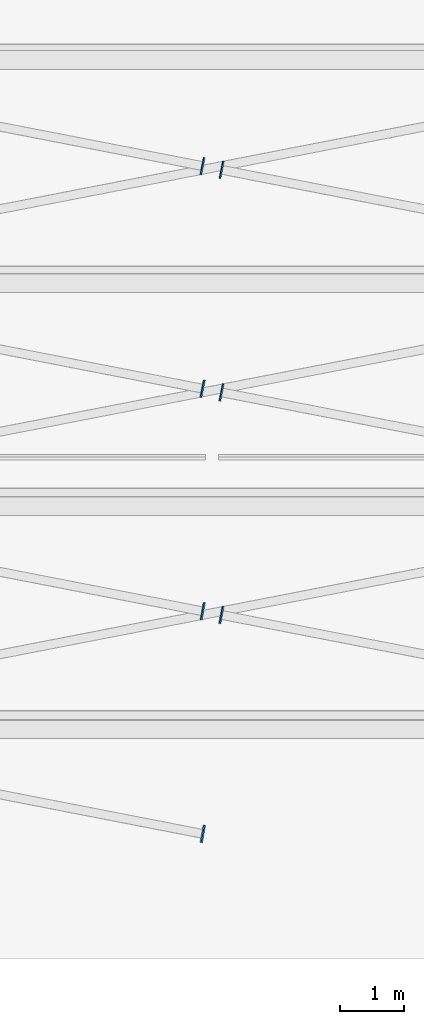
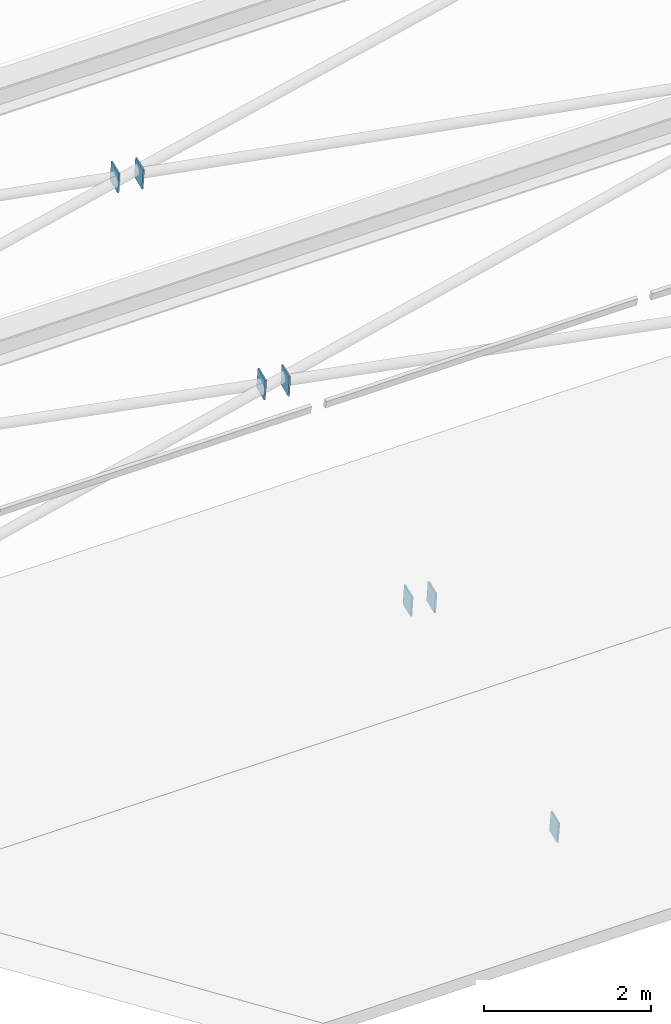
# One storey, part 56 of 69: 7 discrete accessories.
"""IFC4 building model written with IfcOpenShell, lengths in metres."""

import ifcopenshell
import ifcopenshell.guid

model = None  # the IFC model being written
_history = None  # IfcOwnerHistory: only IFC2X3 demands one
_inside = {}  # id of a spatial element -> (the spatial element, [elements in it])
_under = {}  # id of a project, library or spatial element -> (it, [spatial elements below it])
_declared = {}  # id of a project -> (the project, [libraries it declares])
_typed = {}  # id of a type object -> (the type object, [elements of that type])
_made_of = {}  # id of a material, layer set ... -> (it, [elements and type objects made of it])


def new_model(schema):
    """Start an empty IFC model of exactly this schema.

    Asked for "IFC4X3", IfcOpenShell would pick the latest addendum, in which some entities
    have other attributes; the version numbers below select the first issue.
    IFC2X3 requires an IfcOwnerHistory on every rooted entity: one is made here for all.
    """
    global model, _history
    if schema == "IFC4X3":
        model = ifcopenshell.file(schema_version=(4, 3, 0, 0))
    else:
        model = ifcopenshell.file(schema=schema)
    _inside.clear()
    _under.clear()
    _declared.clear()
    _typed.clear()
    _made_of.clear()
    _history = None
    if model.schema == "IFC2X3":
        org = make("IfcOrganization", Name="unknown")
        user = make(
            "IfcPersonAndOrganization",
            ThePerson=make("IfcPerson", FamilyName="unknown"),
            TheOrganization=org,
        )
        app = make(
            "IfcApplication",
            ApplicationDeveloper=org,
            Version="unknown",
            ApplicationFullName="unknown",
            ApplicationIdentifier="unknown",
        )
        _history = make(
            "IfcOwnerHistory",
            OwningUser=user,
            OwningApplication=app,
            ChangeAction="ADDED",
            CreationDate=0,
        )
    return model


def make(cls, **values):
    """One entity of the class cls with the attributes given. An attribute that is None is left unset."""
    return model.create_entity(
        cls, **{name: value for name, value in values.items() if value is not None}
    )


def rooted(cls, **values):
    """An entity with a GlobalId (a new one), such as an element, a storey or a relation."""
    return make(cls, GlobalId=ifcopenshell.guid.new(), OwnerHistory=_history, **values)


def si_unit(unit_type, name, prefix=None):
    """IfcSIUnit, for example si_unit("LENGTHUNIT", "METRE", prefix="MILLI")."""
    return make("IfcSIUnit", UnitType=unit_type, Prefix=prefix, Name=name)


def assignment(units):
    """IfcUnitAssignment: the units of a project."""
    return None if units is None else make("IfcUnitAssignment", Units=units)


def point(xyz):
    """IfcCartesianPoint."""
    return None if xyz is None else make("IfcCartesianPoint", Coordinates=xyz)


def direction(xyz):
    """IfcDirection."""
    return None if xyz is None else make("IfcDirection", DirectionRatios=xyz)


def frame(location, z_axis=None, x_axis=None):
    """IfcAxis2Placement3D, a coordinate frame: its origin and axes. An axis left out is left unset."""
    return make(
        "IfcAxis2Placement3D",
        Location=point(location),
        Axis=direction(z_axis),
        RefDirection=direction(x_axis),
    )


def frame_2d(location, x_axis=None):
    """IfcAxis2Placement2D, a coordinate frame in the plane: its origin and x axis."""
    return make(
        "IfcAxis2Placement2D", Location=point(location), RefDirection=direction(x_axis)
    )


def origin():
    """The frame at (0, 0, 0) with its axes left unset."""
    return frame((0.0, 0.0, 0.0))


def origin_2d():
    """The frame at (0, 0) in the plane with its x axis left unset."""
    return frame_2d((0.0, 0.0))


def place(relative_to, where):
    """IfcLocalPlacement: puts the frame where relative to a parent placement (None: the world)."""
    return make(
        "IfcLocalPlacement", PlacementRelTo=relative_to, RelativePlacement=where
    )


def context(
    kind, dimensions, precision=None, world=None, true_north=None, identifier=None
):
    """IfcGeometricRepresentationContext, for example the 3D "Model" context."""
    return make(
        "IfcGeometricRepresentationContext",
        ContextIdentifier=identifier,
        ContextType=kind,
        CoordinateSpaceDimension=dimensions,
        Precision=precision,
        WorldCoordinateSystem=world,
        TrueNorth=true_north,
    )


def subcontext(parent, identifier, kind, view, scale=None):
    """IfcGeometricRepresentationSubContext, for example "Body" below "Model"."""
    return make(
        "IfcGeometricRepresentationSubContext",
        ContextIdentifier=identifier,
        ContextType=kind,
        ParentContext=parent,
        TargetScale=scale,
        TargetView=view,
    )


def project(units=None, contexts=None):
    """IfcProject with its units and contexts."""
    return rooted(
        "IfcProject",
        Name="project",
        RepresentationContexts=contexts,
        UnitsInContext=assignment(units),
    )


def spatial(cls, under=None, at=None, **own):
    """A site, building, storey or space (cls), placed at a placement, below another one or the project."""
    s = rooted(cls, ObjectPlacement=at, **own)
    if under is not None:
        _under.setdefault(under.id(), (under, []))[1].append(s)
    return s


def profile(cls, at=None, kind="AREA", **sizes):
    """A parametric profile (cls). Its sizes go by their IFC names, for example OverallWidth=200.0."""
    return make(cls, ProfileType=kind, Position=at, **sizes)


def rectangle(**sizes):
    """IfcRectangleProfileDef."""
    return profile("IfcRectangleProfileDef", **sizes)


def extrude(swept, where, along, depth):
    """IfcExtrudedAreaSolid: the profile swept, set in the frame where, extruded along a direction by depth."""
    return make(
        "IfcExtrudedAreaSolid",
        SweptArea=swept,
        Position=where,
        ExtrudedDirection=direction(along),
        Depth=depth,
    )


def shape(context_of_items, identifier, shape_type, items):
    """IfcShapeRepresentation: the items that make up one representation, for example the "Body"."""
    return make(
        "IfcShapeRepresentation",
        ContextOfItems=context_of_items,
        RepresentationIdentifier=identifier,
        RepresentationType=shape_type,
        Items=items,
    )


def material(Name=None, Category=None):
    """IfcMaterial."""
    return make("IfcMaterial", Name=Name, Category=Category)


def layer(
    of_material, thickness, ventilated=None, Name=None, Category=None, Priority=None
):
    """IfcMaterialLayer: one layer of a wall or slab, of a material (None: an air gap)."""
    return make(
        "IfcMaterialLayer",
        Material=of_material,
        LayerThickness=thickness,
        IsVentilated=ventilated,
        Name=Name,
        Category=Category,
        Priority=Priority,
    )


def layer_set(layers, Name=None):
    """IfcMaterialLayerSet."""
    return make("IfcMaterialLayerSet", MaterialLayers=layers, LayerSetName=Name)


def made_of(thing, what):
    """Note that an element or type object is made of a material, layer set ...; save() writes the relation."""
    if what is not None:
        _made_of.setdefault(what.id(), (what, []))[1].append(thing)
    return thing


def type_object(cls, material=None, **own):
    """A type object (cls), such as IfcWallType, which elements share."""
    return made_of(rooted(cls, **own), material)


def element(
    cls,
    number,
    at=None,
    inside=None,
    cuts=None,
    type_object=None,
    material=None,
    context=None,
    identifier="Body",
    shape_type=None,
    held_by="IfcProductDefinitionShape",
    body=None,
    shapes=None,
    **own,
):
    """One element of the class cls, such as IfcWall. Its Tag is "e" and its number.

    at: its placement. inside: the storey or other place that contains it. cuts: it is an
    opening in that element (IfcRelVoidsElement). A single representation is given by context,
    identifier, shape_type and body (its items); several are given by shapes. held_by: the class
    of the entity that holds the representations. save() writes the other relations.
    """
    e = rooted(cls, Tag="e%d" % number, ObjectPlacement=at, **own)
    if body is not None:
        shapes = [shape(context, identifier, shape_type, body)]
    if shapes is not None:
        e.Representation = make(held_by, Representations=shapes)
    if inside is not None:
        _inside.setdefault(inside.id(), (inside, []))[1].append(e)
    if cuts is not None:
        rooted(
            "IfcRelVoidsElement", RelatingBuildingElement=cuts, RelatedOpeningElement=e
        )
    if type_object is not None:
        _typed.setdefault(type_object.id(), (type_object, []))[1].append(e)
    return made_of(e, material)


def aggregate(whole, parts):
    """IfcRelAggregates: a whole, such as a stair, and the parts it consists of."""
    return rooted("IfcRelAggregates", RelatingObject=whole, RelatedObjects=parts)


def save(model, path):
    """Write the relations noted so far, then the file.

    IfcRelAggregates (storeys below a building ...), IfcRelContainedInSpatialStructure (elements
    in a storey), IfcRelDefinesByType, IfcRelAssociatesMaterial and IfcRelDeclares: one each for
    every whole, place, type object, material and project.
    """
    for whole, parts in _under.values():
        aggregate(whole, parts)
    for where, things in _inside.values():
        rooted(
            "IfcRelContainedInSpatialStructure",
            RelatedElements=things,
            RelatingStructure=where,
        )
    for kind, things in _typed.values():
        rooted("IfcRelDefinesByType", RelatedObjects=things, RelatingType=kind)
    for what, things in _made_of.values():
        rooted("IfcRelAssociatesMaterial", RelatedObjects=things, RelatingMaterial=what)
    for by, libraries in _declared.values():
        rooted("IfcRelDeclares", RelatingContext=by, RelatedDefinitions=libraries)
    model.write(path)


model = new_model("IFC4")

# Units and contexts
model_context = context("Model", 3, precision=1e-05, world=origin(), true_north=direction((0.0, 1.0)))
body_context = subcontext(model_context, "Body", "Model", "MODEL_VIEW")
ifc_project = project(units=[si_unit("LENGTHUNIT", "METRE"), si_unit("AREAUNIT", "SQUARE_METRE"), si_unit("VOLUMEUNIT", "CUBIC_METRE"), si_unit("PLANEANGLEUNIT", "RADIAN"), si_unit("MASSUNIT", "GRAM", prefix="KILO")], contexts=[model_context])

# Site, building, storey
site_placement = place(None, origin())
site = spatial("IfcSite", under=ifc_project, at=site_placement, CompositionType="ELEMENT")
building_placement = place(site_placement, origin())
building = spatial("IfcBuilding", under=site, at=building_placement, Name="Okhra Congress Centre", CompositionType="ELEMENT")
storey_placement = place(building_placement, frame((0.0, 0.0, 16.800048828125)))
storey = spatial("IfcBuildingStorey", under=building, at=storey_placement, Name="L03", CompositionType="ELEMENT", Elevation=16.800048828125)

# Discrete accessories
ifc_material = material(Name="Steel S355J2", Category="steel")
ifc_layer = layer(ifc_material, 0.02001953125)
ifc_layer_set = layer_set([ifc_layer], Name="Brace end connection plate 20 mm S355")
discrete_accessory_type = type_object("IfcDiscreteAccessoryType", Name="Brace end connection plate 20 mm S355", PredefinedType="BRACKET", material=ifc_layer_set)
discrete_accessory_placement = place(storey_placement, frame((144.844970703125, 140.780029296875, 0.21240234375), z_axis=(0.980212576021, -0.183789858004, -0.073515943202), x_axis=(0.18428853505, 0.982872186934, 0.0)))
element("IfcDiscreteAccessory", 1, at=discrete_accessory_placement, inside=storey, type_object=discrete_accessory_type, Name="Brace end connection plate", PredefinedType="BRACKET", context=body_context, shape_type="SweptSolid", body=[
    extrude(rectangle(XDim=0.279052734375, YDim=0.279052734375, at=origin_2d()), origin(), (0.0, 0.0, 1.0), 0.02001953125),
])
for number, where, z_axis, x_axis, name in (
    (2, (145.1572265625, 144.219482421875, 1.373779296875), (-0.981475761487, 0.181754770646, 0.060584923549), (-0.182089260182, -0.983282004984, 0.0), "Brace end connection plate"),
    (3, (144.8427734375, 144.280517578125, 1.39306640625), (0.981475761487, -0.181754770646, -0.060584923549), (0.182089260182, 0.983282004984, 0.0), "Brace end connection plate"),
):
    element("IfcDiscreteAccessory", number, at=place(storey_placement, frame(where, z_axis=z_axis, x_axis=x_axis)), inside=storey, type_object=discrete_accessory_type, Name=name, PredefinedType="BRACKET", context=body_context, shape_type="SweptSolid", body=[
        extrude(rectangle(XDim=0.279052734375, YDim=0.279052734375, at=origin_2d()), origin(), (0.0, 0.0, 1.0), 0.020263671875),
    ])
for number, where, z_axis, x_axis, name in (
    (4, (145.158935546875, 147.718994140625, 2.4130859375), (-0.979404213749, 0.19588084275, 0.048970210687), (-0.196116135138, -0.980580675691, 0.0), "Brace end connection plate"),
    (5, (144.841064453125, 147.781005859375, 2.43017578125), (0.978744311902, -0.19574886238, -0.061171519494), (0.196116135138, 0.980580675691, 0.0), "Brace end connection plate"),
):
    element("IfcDiscreteAccessory", number, at=place(storey_placement, frame(where, z_axis=z_axis, x_axis=x_axis)), inside=storey, type_object=discrete_accessory_type, Name=name, PredefinedType="BRACKET", context=body_context, shape_type="SweptSolid", body=[
        extrude(rectangle(XDim=0.279052734375, YDim=0.279052734375, at=origin_2d()), origin(), (0.0, 0.0, 1.0), 0.02001953125),
    ])
for number, where, z_axis, x_axis, name in (
    (6, (145.16064453125, 151.21875, 3.313232421875), (-0.979894473989, 0.19355940227, 0.048389850567), (-0.193786418213, -0.981043742203, 0.0), "Brace end connection plate"),
    (7, (144.83935546875, 151.28125, 3.328125), (0.979894473989, -0.19355940227, -0.048389850567), (0.193786418213, 0.981043742203, 0.0), "Brace end connection plate"),
):
    element("IfcDiscreteAccessory", number, at=place(storey_placement, frame(where, z_axis=z_axis, x_axis=x_axis)), inside=storey, type_object=discrete_accessory_type, Name=name, PredefinedType="BRACKET", context=body_context, shape_type="SweptSolid", body=[
        extrude(rectangle(XDim=0.279052734375, YDim=0.279052734375, at=origin_2d()), origin(), (0.0, 0.0, 1.0), 0.020263671875),
    ])

save(model, "model.ifc")
